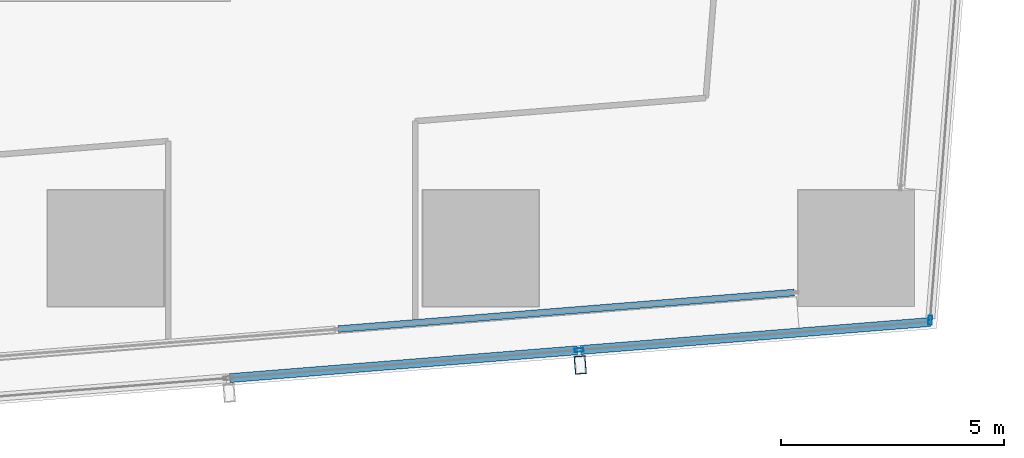
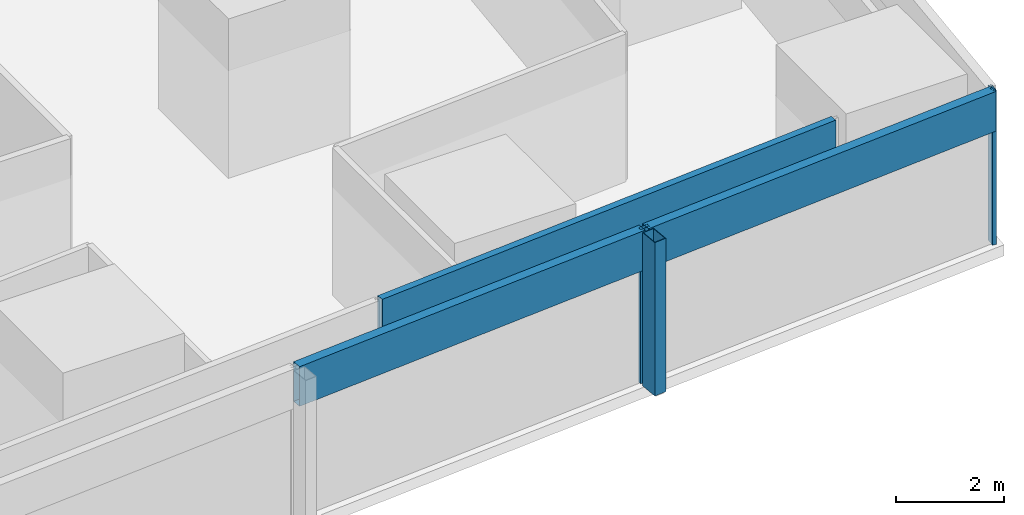
# One storey, part 11 of 46: 6 members, 3 elements without a shape of their own.
"""IFC4 building model written with IfcOpenShell, lengths in metres."""

from ifc_helpers import new_model, si_unit, direction, frame, origin, origin_2d, place, context, subcontext, project, spatial, hollow_rectangle, extrude, material, material_profile, profile_set, type_object, element, aggregate, save


model = new_model("IFC4")

# Units and contexts
model_context = context("Model", 3, precision=1e-05, world=origin(), true_north=direction((0.0, 1.0)))
body_context = subcontext(model_context, "Body", "Model", "MODEL_VIEW")
ifc_project = project(units=[si_unit("LENGTHUNIT", "METRE"), si_unit("AREAUNIT", "SQUARE_METRE"), si_unit("VOLUMEUNIT", "CUBIC_METRE"), si_unit("PLANEANGLEUNIT", "RADIAN"), si_unit("MASSUNIT", "GRAM", prefix="KILO")], contexts=[model_context])

# Site, building, storey
site_placement = place(None, origin())
site = spatial("IfcSite", under=ifc_project, at=site_placement, CompositionType="ELEMENT")
building_placement = place(site_placement, origin())
building = spatial("IfcBuilding", under=site, at=building_placement, Name="Rekha Terrace Tower", CompositionType="ELEMENT")
storey_placement = place(building_placement, frame((0.0, 0.0, 29.14990234375)))
storey = spatial("IfcBuildingStorey", under=building, at=storey_placement, Name="L06", CompositionType="ELEMENT", Elevation=29.14990234375)

# Curtain wall, member
ifc_material_1 = material(Name="Aluminium framing", Category="aluminium")
curtain_wall_type_1 = type_object("IfcCurtainWallType", Name="CW2 double skin outer glazing", PredefinedType="USERDEFINED", material=ifc_material_1)
curtain_wall_1_placement = place(storey_placement, origin())
curtain_wall_1 = element("IfcCurtainWall", 1, at=curtain_wall_1_placement, inside=storey, type_object=curtain_wall_type_1, Name="CW2 double skin outer glazing", ObjectType="DOUBLE SKIN OUTER GLAZING", PredefinedType="USERDEFINED")
ifc_material_2 = material(Name="Steel S355 with fluorocarbon finish", Category="steel")
ifc_material_profile_1 = material_profile(ifc_material_2, hollow_rectangle(XDim=0.25, YDim=0.39990234375, WallThickness=0.012451171875, at=origin_2d()), Name="RHS400x250x12.5")
ifc_profile_set_1 = profile_set([ifc_material_profile_1], Name="Steel S355 with fluorocarbon finish")
member_type_1 = type_object("IfcMemberType", Name="BL1 facade blade RHS 400 x 250", PredefinedType="USERDEFINED", material=ifc_profile_set_1)
member_1_placement = place(storey_placement, frame((61.022705078125, 5.78515625, 0.02001953125), z_axis=(0.0, 0.0, 1.0), x_axis=(0.996805139821, 0.079871855039, 0.0)))
member_1 = element("IfcMember", 2, at=member_1_placement, type_object=member_type_1, Name="Facade blade", ObjectType="FACADE BLADE", PredefinedType="USERDEFINED", context=body_context, shape_type="SweptSolid", body=[
    extrude(hollow_rectangle(XDim=0.25, YDim=0.39990234375, WallThickness=0.012451171875, at=origin_2d()), origin(), (0.0, 0.0, 1.0), 3.47998046875),
])

curtain_wall_type_2 = type_object("IfcCurtainWallType", Name="CW1 double skin inner glazing", PredefinedType="USERDEFINED", material=ifc_material_1)
curtain_wall_2_placement = place(storey_placement, origin())
curtain_wall_2 = element("IfcCurtainWall", 3, at=curtain_wall_2_placement, inside=storey, type_object=curtain_wall_type_2, Name="CW1 double skin inner glazing", ObjectType="DOUBLE SKIN INNER GLAZING", PredefinedType="USERDEFINED")
ifc_material_3 = material(Name="Insulated aluminium spandrel box", Category="aluminium")
ifc_material_profile_2 = material_profile(ifc_material_3, hollow_rectangle(XDim=0.14990234375, YDim=0.89990234375, WallThickness=0.0029296875, at=origin_2d()), Name="AL SPANDREL BOX 150x900")
ifc_profile_set_2 = profile_set([ifc_material_profile_2], Name="Insulated aluminium spandrel box")
member_type_2 = type_object("IfcMemberType", Name="CW1 spandrel transom 150 x 900", PredefinedType="USERDEFINED", material=ifc_profile_set_2)
member_2_placement = place(storey_placement, frame((55.6044921875, 6.590087890625, 3.050048828125), z_axis=(0.996804576186, 0.079878888918, 0.0), x_axis=(-0.079878888918, 0.996804576186, 0.0)))
member_2 = element("IfcMember", 4, at=member_2_placement, type_object=member_type_2, Name="CW1 spandrel transom 2", ObjectType="TRANSOM", PredefinedType="USERDEFINED", context=body_context, shape_type="SweptSolid", body=[
    extrude(hollow_rectangle(XDim=0.14990234375, YDim=0.89990234375, WallThickness=0.0029296875, at=origin_2d()), origin(), (0.0, 0.0, 1.0), 10.23583984375),
])
aggregate(curtain_wall_2, [member_2])

# Member
ifc_material_4 = material(Name="Aluminium mullion section", Category="aluminium")
ifc_material_profile_3 = material_profile(ifc_material_4, hollow_rectangle(XDim=0.080078125, YDim=0.199951171875, WallThickness=0.00390625, at=origin_2d()), Name="AL RHS 80x200")
ifc_profile_set_3 = profile_set([ifc_material_profile_3], Name="Aluminium mullion section")
member_type_3 = type_object("IfcMemberType", Name="CW2 mullion RHS 80 x 200", PredefinedType="MULLION", material=ifc_profile_set_3)
member_3_placement = place(storey_placement, frame((60.99609375, 6.119140625, 0.0), z_axis=(0.0, 0.0, 1.0), x_axis=(-0.079872204468, 0.996805111821, 0.0)))
member_3 = element("IfcMember", 5, at=member_3_placement, type_object=member_type_3, Name="CW2 mullion 3", PredefinedType="MULLION", context=body_context, shape_type="SweptSolid", body=[
    extrude(hollow_rectangle(XDim=0.080078125, YDim=0.199951171875, WallThickness=0.00390625, at=origin_2d()), origin(), (0.0, 0.0, 1.0), 3.5),
])

# Curtain wall, member
curtain_wall_3_placement = place(storey_placement, origin())
curtain_wall_3 = element("IfcCurtainWall", 6, at=curtain_wall_3_placement, inside=storey, type_object=curtain_wall_type_1, Name="CW2 double skin outer glazing", ObjectType="DOUBLE SKIN OUTER GLAZING", PredefinedType="USERDEFINED")
member_4_placement = place(storey_placement, frame((68.8544921875, 6.78857421875, 0.0), z_axis=(0.0, 0.0, 1.0), x_axis=(-0.996865392575, 0.079116301017, 0.0)))
member_4 = element("IfcMember", 7, at=member_4_placement, type_object=member_type_3, Name="CW2 mullion 1", PredefinedType="MULLION", context=body_context, shape_type="SweptSolid", body=[
    extrude(hollow_rectangle(XDim=0.080078125, YDim=0.199951171875, WallThickness=0.00390625, at=origin_2d()), origin(), (0.0, 0.0, 1.0), 3.5),
])
aggregate(curtain_wall_3, [member_4])

# Member
ifc_material_profile_4 = material_profile(ifc_material_3, hollow_rectangle(XDim=0.199951171875, YDim=0.89990234375, WallThickness=0.0029296875, at=origin_2d()), Name="AL SPANDREL BOX 200x900")
ifc_profile_set_4 = profile_set([ifc_material_profile_4], Name="Insulated aluminium spandrel box")
member_type_4 = type_object("IfcMemberType", Name="CW2 spandrel transom 200 x 900", PredefinedType="USERDEFINED", material=ifc_profile_set_4)
member_5_placement = place(storey_placement, frame((53.1806640625, 5.492919921875, 3.050048828125), z_axis=(0.996804920132, 0.079874596715, 0.0), x_axis=(-0.079874596715, 0.996804920132, 0.0)))
member_5 = element("IfcMember", 8, at=member_5_placement, type_object=member_type_4, Name="CW2 spandrel transom 2", ObjectType="TRANSOM", PredefinedType="USERDEFINED", context=body_context, shape_type="SweptSolid", body=[
    extrude(hollow_rectangle(XDim=0.199951171875, YDim=0.89990234375, WallThickness=0.0029296875, at=origin_2d()), origin(), (0.0, 0.0, 1.0), 7.80029296875),
])

member_6_placement = place(storey_placement, frame((61.035888671875, 6.122314453125, 3.050048828125), z_axis=(0.996805270739, 0.07987022115, 0.0), x_axis=(-0.07987022115, 0.996805270739, 0.0)))
member_6 = element("IfcMember", 9, at=member_6_placement, type_object=member_type_4, Name="CW2 spandrel transom 3", ObjectType="TRANSOM", PredefinedType="USERDEFINED", context=body_context, shape_type="SweptSolid", body=[
    extrude(hollow_rectangle(XDim=0.199951171875, YDim=0.89990234375, WallThickness=0.0029296875, at=origin_2d()), origin(), (0.0, 0.0, 1.0), 7.840576171875),
])

aggregate(curtain_wall_1, [member_3, member_5, member_6, member_1])

save(model, "model.ifc")
